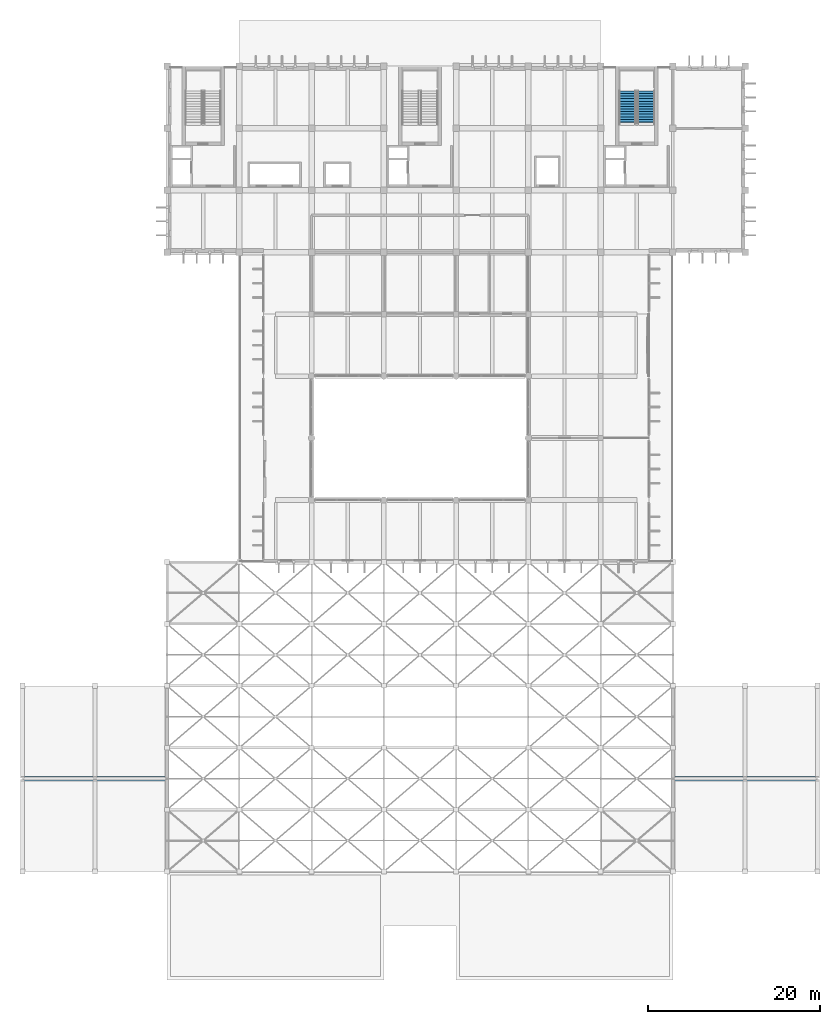
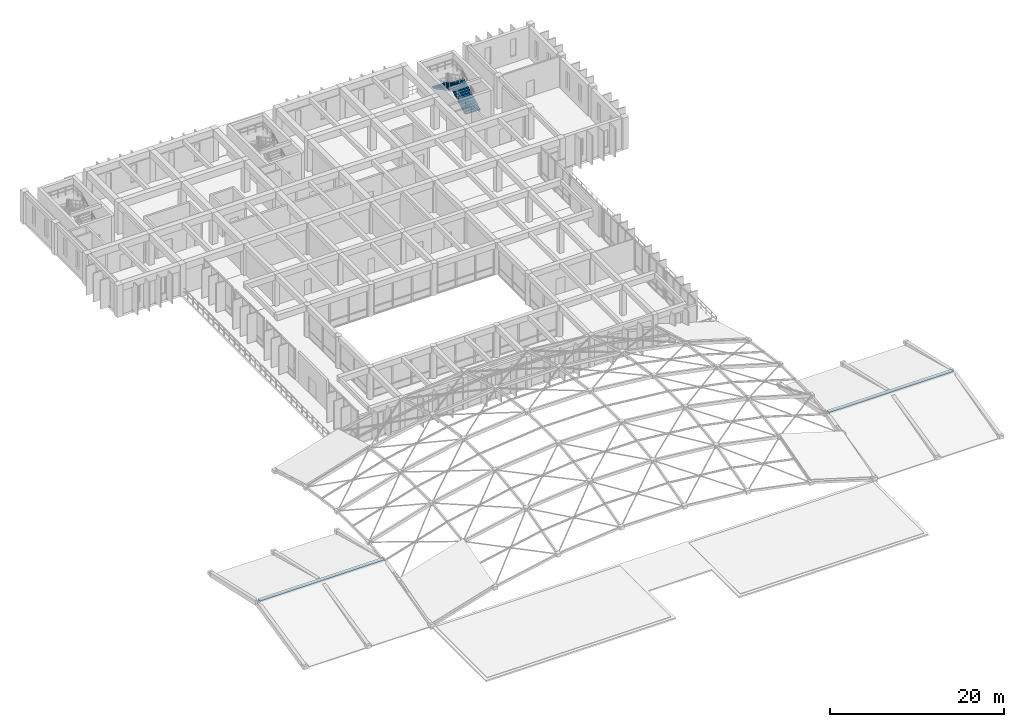
# One storey, part 19 of 23: 2 roofs, 2 stair flights, 1 element without a shape of its own.
"""IFC4 building model written with IfcOpenShell, lengths in metres."""

from ifc_helpers import new_model, si_unit, direction, frame, origin, origin_2d, place, context, subcontext, project, spatial, polyline, rectangle, outline, extrude, material, layer, layer_set, type_object, element, aggregate, save


model = new_model("IFC4")

# Units and contexts
model_context = context("Model", 3, precision=1e-05, world=origin(), true_north=direction((0.0, 1.0)))
body_context = subcontext(model_context, "Body", "Model", "MODEL_VIEW")
ifc_project = project(units=[si_unit("LENGTHUNIT", "METRE"), si_unit("AREAUNIT", "SQUARE_METRE"), si_unit("VOLUMEUNIT", "CUBIC_METRE"), si_unit("PLANEANGLEUNIT", "RADIAN"), si_unit("MASSUNIT", "GRAM", prefix="KILO")], contexts=[model_context])

# Site, building, storey
site_placement = place(None, origin())
site = spatial("IfcSite", under=ifc_project, at=site_placement, CompositionType="ELEMENT")
building_placement = place(site_placement, origin())
building = spatial("IfcBuilding", under=site, at=building_placement, Name="Kenerak Square Central Library", CompositionType="ELEMENT")
storey_placement = place(building_placement, frame((0.0, 0.0, 18.8798828125)))
storey = spatial("IfcBuildingStorey", under=building, at=storey_placement, Name="L04", CompositionType="ELEMENT", Elevation=18.8798828125)

# Stair, stair flights
ifc_material_1 = material(Name="Concrete C40/50", Category="concrete")
stair_type = type_object("IfcStairType", Name="Exit Dogleg Stair ST-448 C40/50", PredefinedType="HALF_TURN_STAIR", material=ifc_material_1)
stair_placement = place(storey_placement, origin())
stair = element("IfcStair", 1, at=stair_placement, inside=storey, type_object=stair_type, Name="L04 Protected Exit Stair ST-03", PredefinedType="HALF_TURN_STAIR")
stair_flight_type = type_object("IfcStairFlightType", Name="Exit Stair Flight FL-14 C40/50", PredefinedType="STRAIGHT", material=ifc_material_1)
stair_flight_1_placement = place(storey_placement, frame((114.090087890625, 103.64990234375, 0.0), z_axis=(0.0, 0.0, 1.0), x_axis=(0.0, 1.0, 0.0)))
stair_flight_1 = element("IfcStairFlight", 2, at=stair_flight_1_placement, type_object=stair_flight_type, Name="ST-03 Flight 1", NumberOfRisers=14, NumberOfTreads=13, PredefinedType="STRAIGHT", RiserHeight=0.16, TreadLength=0.3, context=body_context, shape_type="SweptSolid", body=[
    extrude(outline(polyline([(0.0, 0.0), (0.0, 0.159912109375), (0.300048828125, 0.159912109375), (0.300048828125, 0.320068359375), (0.60009765625, 0.320068359375), (0.60009765625, 0.47998046875), (0.89990234375, 0.47998046875), (0.89990234375, 0.639892578125), (1.199951171875, 0.639892578125), (1.199951171875, 0.800048828125), (1.5, 0.800048828125), (1.5, 0.9599609375), (1.800048828125, 0.9599609375), (1.800048828125, 1.1201171875), (2.10009765625, 1.1201171875), (2.10009765625, 1.280029296875), (2.39990234375, 1.280029296875), (2.39990234375, 1.43994140625), (2.699951171875, 1.43994140625), (2.699951171875, 1.60009765625), (3.0, 1.60009765625), (3.0, 1.760009765625), (3.300048828125, 1.760009765625), (3.300048828125, 1.919921875), (3.60009765625, 1.919921875), (3.60009765625, 2.080078125), (3.89990234375, 2.080078125), (3.89990234375, 2.239990234375), (3.89990234375, 1.8759765625), (0.38232421875, 0.0), (0.0, 0.0)])), frame((0.0, 0.989990234375, 0.0), z_axis=(0.0, -1.0, 0.0), x_axis=(1.0, 0.0, 0.0)), (0.0, 0.0, 1.0), 1.97998046875),
])
stair_flight_2_placement = place(storey_placement, frame((111.909912109375, 107.550048828125, 2.240234375), z_axis=(0.0, 0.0, 1.0), x_axis=(0.0, -1.0, 0.0)))
stair_flight_2 = element("IfcStairFlight", 3, at=stair_flight_2_placement, type_object=stair_flight_type, Name="ST-03 Flight 2", NumberOfRisers=14, NumberOfTreads=13, PredefinedType="STRAIGHT", RiserHeight=0.16, TreadLength=0.3, context=body_context, shape_type="SweptSolid", body=[
    extrude(outline(polyline([(0.0, 0.0), (0.0, 0.159912109375), (0.300048828125, 0.159912109375), (0.300048828125, 0.320068359375), (0.60009765625, 0.320068359375), (0.60009765625, 0.47998046875), (0.89990234375, 0.47998046875), (0.89990234375, 0.639892578125), (1.199951171875, 0.639892578125), (1.199951171875, 0.800048828125), (1.5, 0.800048828125), (1.5, 0.9599609375), (1.800048828125, 0.9599609375), (1.800048828125, 1.1201171875), (2.10009765625, 1.1201171875), (2.10009765625, 1.280029296875), (2.39990234375, 1.280029296875), (2.39990234375, 1.43994140625), (2.699951171875, 1.43994140625), (2.699951171875, 1.60009765625), (3.0, 1.60009765625), (3.0, 1.760009765625), (3.300048828125, 1.760009765625), (3.300048828125, 1.919921875), (3.60009765625, 1.919921875), (3.60009765625, 2.080078125), (3.89990234375, 2.080078125), (3.89990234375, 2.239990234375), (3.89990234375, 1.8759765625), (0.38232421875, 0.0), (0.0, 0.0)])), frame((0.0, 0.989990234375, 0.0), z_axis=(0.0, -1.0, 0.0), x_axis=(1.0, 0.0, 0.0)), (0.0, 0.0, 1.0), 1.97998046875),
])
aggregate(stair, [stair_flight_1, stair_flight_2])

# Roofs
ifc_material_2 = material(Name="Precast concrete C40/50", Category="concrete")
ifc_layer = layer(ifc_material_2, 0.179931640625)
ifc_layer_set = layer_set([ifc_layer], Name="Precast concrete C40/50")
roof_type = type_object("IfcRoofType", Name="Folded Acoustic Pitched Roof RF-GABLE", PredefinedType="GABLE_ROOF", material=ifc_layer_set)
for number, where, z_axis, x_axis, name in (
    (4, (50.0, 27.60009765625, 2.740234375), (0.0, 0.0, 1.0), (1.0, 0.0, 0.0), "West Lecture Range Pitched Roof"),
    (5, (125.60009765625, 27.60009765625, 2.740234375), (0.0, 0.0, 1.0), (1.0, 0.0, 0.0), "East Maker Range Pitched Roof"),
):
    element("IfcRoof", number, at=place(storey_placement, frame(where, z_axis=z_axis, x_axis=x_axis)), inside=storey, type_object=roof_type, Name=name, PredefinedType="GABLE_ROOF", context=body_context, shape_type="SweptSolid", body=[
        extrude(rectangle(XDim=16.5, YDim=0.550048828125, at=origin_2d()), origin(), (0.0, 0.0, 1.0), 0.239990234375),
    ])

save(model, "model.ifc")
